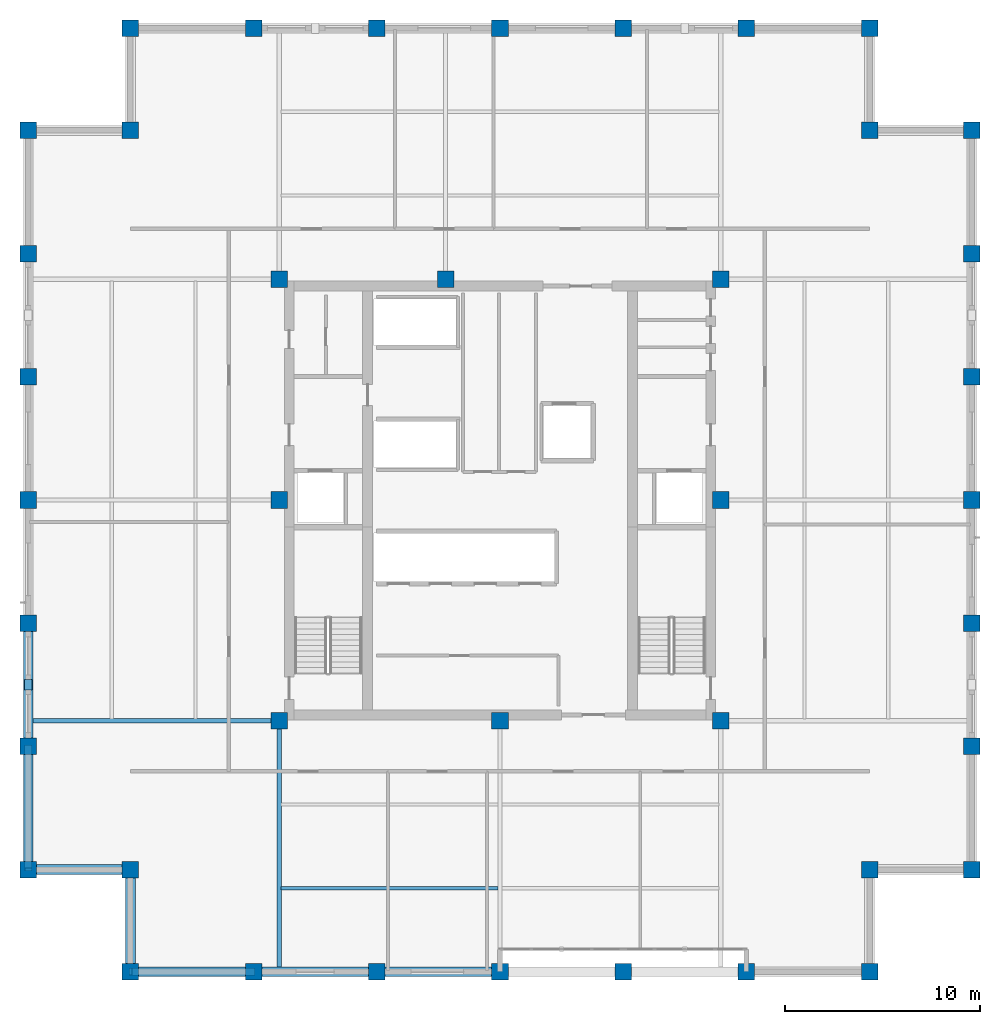
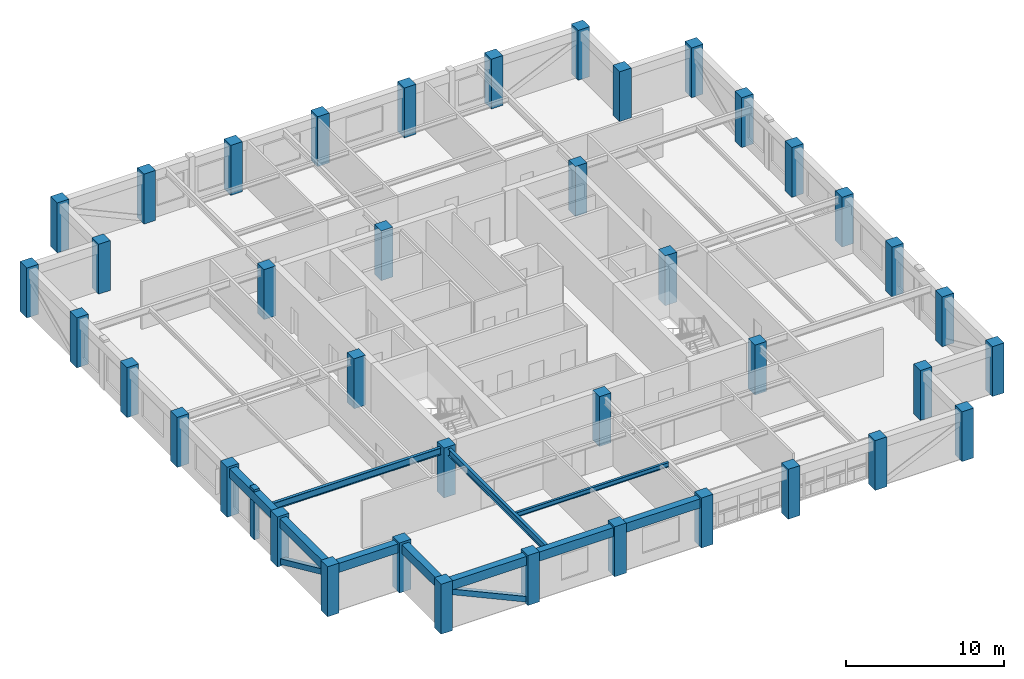
# One storey, part 1 of 13: 40 columns, 10 beams, 3 members.
"""IFC4 building model written with IfcOpenShell, lengths in metres."""

from ifc_helpers import new_model, si_unit, direction, frame, origin, origin_2d, place, context, subcontext, project, spatial, rectangle, hollow_rectangle, i_section, extrude, material, material_profile, profile_set, type_object, element, save


model = new_model("IFC4")

# Units and contexts
model_context = context("Model", 3, precision=1e-05, world=origin(), true_north=direction((0.0, 1.0)))
body_context = subcontext(model_context, "Body", "Model", "MODEL_VIEW")
ifc_project = project(units=[si_unit("LENGTHUNIT", "METRE"), si_unit("AREAUNIT", "SQUARE_METRE"), si_unit("VOLUMEUNIT", "CUBIC_METRE"), si_unit("PLANEANGLEUNIT", "RADIAN"), si_unit("MASSUNIT", "GRAM", prefix="KILO")], contexts=[model_context])

# Site, building, storey
site_placement = place(None, origin())
site = spatial("IfcSite", under=ifc_project, at=site_placement, CompositionType="ELEMENT")
building_placement = place(site_placement, origin())
building = spatial("IfcBuilding", under=site, at=building_placement, Name="Nhamokura Convention Tower", CompositionType="ELEMENT")
storey_placement = place(building_placement, frame((0.0, 0.0, 206.14990234375)))
storey = spatial("IfcBuildingStorey", under=building, at=storey_placement, Name="L50", CompositionType="ELEMENT", Elevation=206.14990234375)

# Columns
ifc_material_1 = material(Name="Concrete C50/60", Category="concrete")
ifc_material_profile_1 = material_profile(ifc_material_1, rectangle(XDim=0.85009765625, YDim=0.85009765625, at=origin_2d()))
ifc_profile_set_1 = profile_set([ifc_material_profile_1], Name="Concrete C50/60")
column_type = type_object("IfcColumnType", Name="TubeColumn_Z3_850", PredefinedType="COLUMN", material=ifc_profile_set_1)
for number, where, z_axis, x_axis, name in (
    (1, (20.64990234375, 20.64990234375, 0.0), (0.0, 0.0, 1.0), (1.0, 0.0, 0.0), "L50 Core Column CC-SW"),
    (2, (32.0, 20.64990234375, 0.0), (0.0, 0.0, 1.0), (1.0, 0.0, 0.0), "L50 Core Column CC-S"),
    (3, (43.35009765625, 20.64990234375, 0.0), (0.0, 0.0, 1.0), (1.0, 0.0, 0.0), "L50 Core Column CC-SE"),
    (4, (43.35009765625, 32.0, 0.0), (0.0, 0.0, 1.0), (1.0, 0.0, 0.0), "L50 Core Column CC-E"),
    (5, (43.35009765625, 43.35009765625, 0.0), (0.0, 0.0, 1.0), (1.0, 0.0, 0.0), "L50 Core Column CC-NE"),
    (6, (29.199951171875, 43.35009765625, 0.0), (0.0, 0.0, 1.0), (1.0, 0.0, 0.0), "L50 Core Column CC-N"),
    (7, (20.64990234375, 43.35009765625, 0.0), (0.0, 0.0, 1.0), (1.0, 0.0, 0.0), "L50 Core Column CC-NW"),
    (8, (20.64990234375, 32.0, 0.0), (0.0, 0.0, 1.0), (1.0, 0.0, 0.0), "L50 Core Column CC-W"),
    (9, (13.0, 7.75, 0.0), (0.0, 0.0, 1.0), (1.0, 0.0, 0.0), "L50 Perimeter Tube Column SW1"),
    (10, (13.0, 13.0, 0.0), (0.0, 0.0, 1.0), (1.0, 0.0, 0.0), "L50 Perimeter Tube Column SW0"),
    (11, (7.75, 13.0, 0.0), (0.0, 0.0, 1.0), (1.0, 0.0, 0.0), "L50 Perimeter Tube Column SW2"),
    (12, (51.0, 7.75, 0.0), (0.0, 0.0, 1.0), (1.0, 0.0, 0.0), "L50 Perimeter Tube Column SE1"),
    (13, (51.0, 13.0, 0.0), (0.0, 0.0, 1.0), (1.0, 0.0, 0.0), "L50 Perimeter Tube Column SE0"),
    (14, (56.25, 13.0, 0.0), (0.0, 0.0, 1.0), (1.0, 0.0, 0.0), "L50 Perimeter Tube Column SE2"),
    (15, (56.25, 51.0, 0.0), (0.0, 0.0, 1.0), (1.0, 0.0, 0.0), "L50 Perimeter Tube Column NE1"),
    (16, (51.0, 51.0, 0.0), (0.0, 0.0, 1.0), (1.0, 0.0, 0.0), "L50 Perimeter Tube Column NE0"),
    (17, (51.0, 56.25, 0.0), (0.0, 0.0, 1.0), (1.0, 0.0, 0.0), "L50 Perimeter Tube Column NE2"),
    (18, (13.0, 56.25, 0.0), (0.0, 0.0, 1.0), (1.0, 0.0, 0.0), "L50 Perimeter Tube Column NW1"),
    (19, (13.0, 51.0, 0.0), (0.0, 0.0, 1.0), (1.0, 0.0, 0.0), "L50 Perimeter Tube Column NW0"),
    (20, (7.75, 51.0, 0.0), (0.0, 0.0, 1.0), (1.0, 0.0, 0.0), "L50 Perimeter Tube Column NW2"),
    (21, (19.333251953125, 7.75, 0.0), (0.0, 0.0, 1.0), (1.0, 0.0, 0.0), "L50 Perimeter Tube Column S1"),
    (22, (19.333251953125, 56.25, 0.0), (0.0, 0.0, 1.0), (1.0, 0.0, 0.0), "L50 Perimeter Tube Column N1"),
    (23, (7.75, 19.333251953125, 0.0), (0.0, 0.0, 1.0), (1.0, 0.0, 0.0), "L50 Perimeter Tube Column W1"),
    (24, (56.25, 19.333251953125, 0.0), (0.0, 0.0, 1.0), (1.0, 0.0, 0.0), "L50 Perimeter Tube Column E1"),
    (25, (25.666748046875, 7.75, 0.0), (0.0, 0.0, 1.0), (1.0, 0.0, 0.0), "L50 Perimeter Tube Column S2"),
    (26, (25.666748046875, 56.25, 0.0), (0.0, 0.0, 1.0), (1.0, 0.0, 0.0), "L50 Perimeter Tube Column N2"),
    (27, (7.75, 25.666748046875, 0.0), (0.0, 0.0, 1.0), (1.0, 0.0, 0.0), "L50 Perimeter Tube Column W2"),
    (28, (56.25, 25.666748046875, 0.0), (0.0, 0.0, 1.0), (1.0, 0.0, 0.0), "L50 Perimeter Tube Column E2"),
    (29, (32.0, 7.75, 0.0), (0.0, 0.0, 1.0), (1.0, 0.0, 0.0), "L50 Perimeter Tube Column S3"),
    (30, (32.0, 56.25, 0.0), (0.0, 0.0, 1.0), (1.0, 0.0, 0.0), "L50 Perimeter Tube Column N3"),
    (31, (7.75, 32.0, 0.0), (0.0, 0.0, 1.0), (1.0, 0.0, 0.0), "L50 Perimeter Tube Column W3"),
    (32, (56.25, 32.0, 0.0), (0.0, 0.0, 1.0), (1.0, 0.0, 0.0), "L50 Perimeter Tube Column E3"),
    (33, (38.333251953125, 7.75, 0.0), (0.0, 0.0, 1.0), (1.0, 0.0, 0.0), "L50 Perimeter Tube Column S4"),
    (34, (38.333251953125, 56.25, 0.0), (0.0, 0.0, 1.0), (1.0, 0.0, 0.0), "L50 Perimeter Tube Column N4"),
    (35, (7.75, 38.333251953125, 0.0), (0.0, 0.0, 1.0), (1.0, 0.0, 0.0), "L50 Perimeter Tube Column W4"),
    (36, (56.25, 38.333251953125, 0.0), (0.0, 0.0, 1.0), (1.0, 0.0, 0.0), "L50 Perimeter Tube Column E4"),
    (37, (44.666748046875, 7.75, 0.0), (0.0, 0.0, 1.0), (1.0, 0.0, 0.0), "L50 Perimeter Tube Column S5"),
    (38, (44.666748046875, 56.25, 0.0), (0.0, 0.0, 1.0), (1.0, 0.0, 0.0), "L50 Perimeter Tube Column N5"),
    (39, (7.75, 44.666748046875, 0.0), (0.0, 0.0, 1.0), (1.0, 0.0, 0.0), "L50 Perimeter Tube Column W5"),
    (40, (56.25, 44.666748046875, 0.0), (0.0, 0.0, 1.0), (1.0, 0.0, 0.0), "L50 Perimeter Tube Column E5"),
):
    element("IfcColumn", number, at=place(storey_placement, frame(where, z_axis=z_axis, x_axis=x_axis)), inside=storey, type_object=column_type, Name=name, PredefinedType="COLUMN", context=body_context, shape_type="SweptSolid", body=[
        extrude(rectangle(XDim=0.85009765625, YDim=0.85009765625, at=origin_2d()), origin(), (0.0, 0.0, 1.0), 3.85009765625),
    ])

# Member
ifc_material_2 = material(Name="Bronze-pigmented precast concrete C45/55", Category="concrete")
ifc_material_profile_2 = material_profile(ifc_material_2, rectangle(XDim=0.39990234375, YDim=0.550048828125, at=origin_2d()))
ifc_profile_set_2 = profile_set([ifc_material_profile_2], Name="Bronze-pigmented precast concrete C45/55")
member_type_1 = type_object("IfcMemberType", Name="BronzePilaster_550", PredefinedType="USERDEFINED", material=ifc_profile_set_2)
member_placement = place(storey_placement, frame((7.75, 22.5, 0.0), z_axis=(0.0, 0.0, 1.0), x_axis=(1.0, 0.0, 0.0)))
element("IfcMember", 41, at=member_placement, inside=storey, type_object=member_type_1, Name="L50 Engaged Frame Pilaster WEST 1", ObjectType="PILASTER_TRIM", PredefinedType="USERDEFINED", context=body_context, shape_type="SweptSolid", body=[
    extrude(rectangle(XDim=0.39990234375, YDim=0.550048828125, at=origin_2d()), origin(), (0.0, 0.0, 1.0), 3.85009765625),
])

# Beams
ifc_material_3 = material(Name="Steel ASTM A992 Gr 50", Category="steel")
ifc_material_profile_3 = material_profile(ifc_material_3, i_section(OverallWidth=0.172119140625, OverallDepth=0.35791015625, WebThickness=0.0078125, FlangeThickness=0.01318359375, at=origin_2d()))
ifc_profile_set_3 = profile_set([ifc_material_profile_3], Name="Steel ASTM A992 Gr 50")
beam_type_1 = type_object("IfcBeamType", Name="FloorJoist_W360X57", PredefinedType="JOIST", material=ifc_profile_set_3)
beam_1_placement = place(storey_placement, frame((20.75341796875, 12.050048828125, 3.506103515625), z_axis=(1.0, 0.0, 0.0), x_axis=(0.0, 1.0, 0.0)))
element("IfcBeam", 42, at=beam_1_placement, inside=storey, type_object=beam_type_1, Name="L50 Composite Floor Joist S1A", PredefinedType="JOIST", context=body_context, shape_type="SweptSolid", body=[
    extrude(i_section(OverallWidth=0.172119140625, OverallDepth=0.35791015625, WebThickness=0.0078125, FlangeThickness=0.01318359375, at=origin_2d()), origin(), (0.0, 0.0, 1.0), 11.14306640625),
])
ifc_material_4 = material(Name="Steel ASTM A992 Gr 50", Category="steel")
ifc_material_profile_4 = material_profile(ifc_material_4, i_section(OverallWidth=0.2109375, OverallDepth=0.5390625, WebThickness=0.01171875, FlangeThickness=0.018798828125, at=origin_2d()))
ifc_profile_set_4 = profile_set([ifc_material_profile_4], Name="Steel ASTM A992 Gr 50")
beam_type_2 = type_object("IfcBeamType", Name="PrimaryGirder_W530X109", PredefinedType="BEAM", material=ifc_profile_set_4)
for number, where, z_axis, x_axis, name in (
    (43, (20.64990234375, 7.75, 3.41552734375), (0.0, 1.0, 0.0), (-1.0, 0.0, 0.0), "L50 Primary Floor Girder PG-S1"),
    (44, (7.75, 20.64990234375, 3.41552734375), (1.0, 0.0, 0.0), (0.0, 1.0, 0.0), "L50 Primary Floor Girder PG-W1"),
):
    element("IfcBeam", number, at=place(storey_placement, frame(where, z_axis=z_axis, x_axis=x_axis)), inside=storey, type_object=beam_type_2, Name=name, PredefinedType="BEAM", context=body_context, shape_type="SweptSolid", body=[
        extrude(i_section(OverallWidth=0.2109375, OverallDepth=0.5390625, WebThickness=0.01171875, FlangeThickness=0.018798828125, at=origin_2d()), origin(), (0.0, 0.0, 1.0), 12.89990234375),
    ])

# Members
ifc_material_5 = material(Name="Steel ASTM A572 Gr 50", Category="steel")
ifc_material_profile_5 = material_profile(ifc_material_5, hollow_rectangle(XDim=0.39990234375, YDim=0.39990234375, WallThickness=0.02001953125, at=origin_2d()))
ifc_profile_set_5 = profile_set([ifc_material_profile_5], Name="Steel ASTM A572 Gr 50")
member_type_2 = type_object("IfcMemberType", Name="TubeBrace_HSS400", PredefinedType="BRACE", material=ifc_profile_set_5)
for number, where, z_axis, x_axis, name in (
    (45, (19.333251953125, 7.75, 0.150146484375), (-0.910027379678, 0.0, 0.41454814948), (0.0, -1.0, 0.0), "L50 Perimeter Tube Brace SOUTH Bay 0"),
    (46, (7.75, 19.333251953125, 0.150146484375), (0.0, -0.910027379678, 0.41454814948), (1.0, 0.0, 0.0), "L50 Perimeter Tube Brace WEST Bay 0"),
):
    element("IfcMember", number, at=place(storey_placement, frame(where, z_axis=z_axis, x_axis=x_axis)), inside=storey, type_object=member_type_2, Name=name, PredefinedType="BRACE", context=body_context, shape_type="SweptSolid", body=[
        extrude(hollow_rectangle(XDim=0.39990234375, YDim=0.39990234375, WallThickness=0.02001953125, at=origin_2d()), origin(), (0.0, 0.0, 1.0), 6.95947265625),
    ])

# Beams
ifc_material_6 = material(Name="Concrete C50/60", Category="concrete")
ifc_material_profile_6 = material_profile(ifc_material_6, rectangle(XDim=0.5, YDim=0.699951171875, at=origin_2d()))
ifc_profile_set_6 = profile_set([ifc_material_profile_6], Name="Concrete C50/60")
beam_type_3 = type_object("IfcBeamType", Name="TubeSpandrel_700", PredefinedType="SPANDREL", material=ifc_profile_set_6)
beam_2_placement = place(storey_placement, frame((13.0, 7.75, 3.335205078125), z_axis=(1.0, 0.0, 0.0), x_axis=(0.0, 1.0, 0.0)))
element("IfcBeam", 47, at=beam_2_placement, inside=storey, type_object=beam_type_3, Name="L50 Perimeter Spandrel SOUTH 1", PredefinedType="SPANDREL", context=body_context, shape_type="SweptSolid", body=[
    extrude(rectangle(XDim=0.5, YDim=0.699951171875, at=origin_2d()), origin(), (0.0, 0.0, 1.0), 6.333251953125),
])
beam_3_placement = place(storey_placement, frame((19.333251953125, 7.75, 3.335205078125), z_axis=(1.0, 0.0, 0.0), x_axis=(0.0, 1.0, 0.0)))
element("IfcBeam", 48, at=beam_3_placement, inside=storey, type_object=beam_type_3, Name="L50 Perimeter Spandrel SOUTH 2", PredefinedType="SPANDREL", context=body_context, shape_type="SweptSolid", body=[
    extrude(rectangle(XDim=0.5, YDim=0.699951171875, at=origin_2d()), origin(), (0.0, 0.0, 1.0), 6.33349609375),
])
for number, where, z_axis, x_axis, name in (
    (49, (25.666748046875, 7.75, 3.335205078125), (1.0, 0.0, 0.0), (0.0, 1.0, 0.0), "L50 Perimeter Spandrel SOUTH 3"),
    (50, (7.75, 13.0, 3.335205078125), (0.0, 1.0, 0.0), (-1.0, 0.0, 0.0), "L50 Perimeter Spandrel WEST 1"),
):
    element("IfcBeam", number, at=place(storey_placement, frame(where, z_axis=z_axis, x_axis=x_axis)), inside=storey, type_object=beam_type_3, Name=name, PredefinedType="SPANDREL", context=body_context, shape_type="SweptSolid", body=[
        extrude(rectangle(XDim=0.5, YDim=0.699951171875, at=origin_2d()), origin(), (0.0, 0.0, 1.0), 6.333251953125),
    ])
beam_4_placement = place(storey_placement, frame((7.75, 19.333251953125, 3.335205078125), z_axis=(0.0, 1.0, 0.0), x_axis=(-1.0, 0.0, 0.0)))
element("IfcBeam", 51, at=beam_4_placement, inside=storey, type_object=beam_type_3, Name="L50 Perimeter Spandrel WEST 2", PredefinedType="SPANDREL", context=body_context, shape_type="SweptSolid", body=[
    extrude(rectangle(XDim=0.5, YDim=0.699951171875, at=origin_2d()), origin(), (0.0, 0.0, 1.0), 6.33349609375),
])
for number, where, z_axis, x_axis, name in (
    (52, (13.0, 7.75, 3.335205078125), (0.0, 1.0, 0.0), (-1.0, 0.0, 0.0), "L50 Notch Spandrel SW1"),
    (53, (13.0, 13.0, 3.335205078125), (-1.0, 0.0, 0.0), (0.0, -1.0, 0.0), "L50 Notch Spandrel SW2"),
):
    element("IfcBeam", number, at=place(storey_placement, frame(where, z_axis=z_axis, x_axis=x_axis)), inside=storey, type_object=beam_type_3, Name=name, PredefinedType="SPANDREL", context=body_context, shape_type="SweptSolid", body=[
        extrude(rectangle(XDim=0.5, YDim=0.699951171875, at=origin_2d()), origin(), (0.0, 0.0, 1.0), 5.25),
    ])

save(model, "model.ifc")
